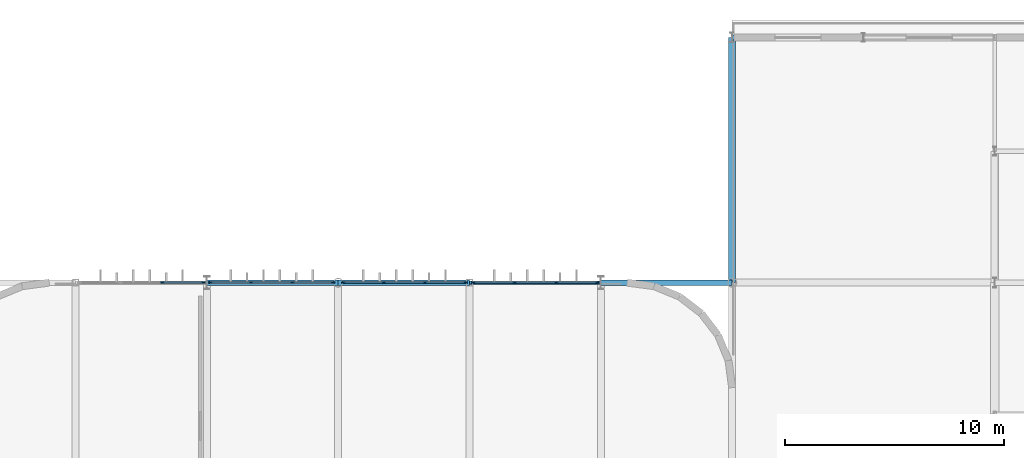
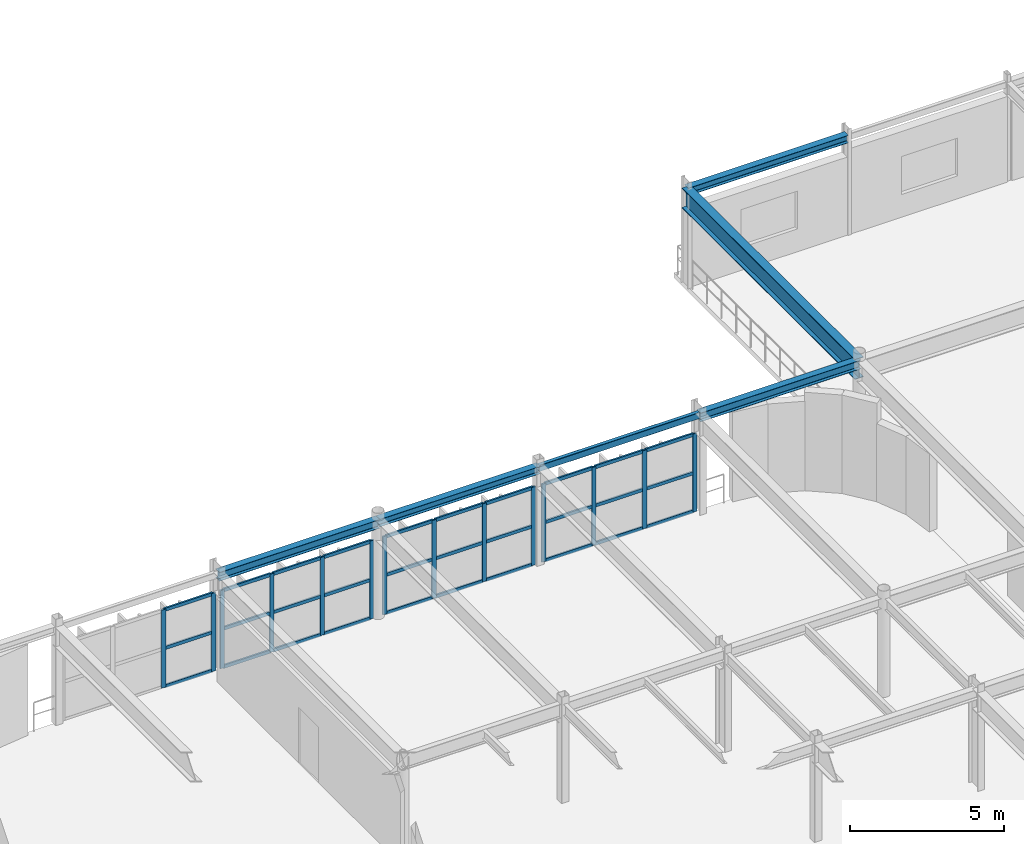
# One storey, part 70 of 116: 44 members, 6 beams, 4 elements without a shape of their own.
"""IFC4 building model written with IfcOpenShell, lengths in metres."""

from ifc_helpers import new_model, si_unit, direction, frame, origin, origin_2d, place, context, subcontext, project, spatial, rectangle, hollow_rectangle, i_section, extrude, material, material_profile, profile_set, type_object, element, aggregate, save


model = new_model("IFC4")

# Units and contexts
model_context = context("Model", 3, precision=1e-05, world=origin(), true_north=direction((0.0, 1.0)))
body_context = subcontext(model_context, "Body", "Model", "MODEL_VIEW")
ifc_project = project(units=[si_unit("LENGTHUNIT", "METRE"), si_unit("AREAUNIT", "SQUARE_METRE"), si_unit("VOLUMEUNIT", "CUBIC_METRE"), si_unit("PLANEANGLEUNIT", "RADIAN"), si_unit("MASSUNIT", "GRAM", prefix="KILO")], contexts=[model_context])

# Site, building, storey
site_placement = place(None, origin())
site = spatial("IfcSite", under=ifc_project, at=site_placement, CompositionType="ELEMENT")
building_placement = place(site_placement, origin())
building = spatial("IfcBuilding", under=site, at=building_placement, Name="Varnakota Square Police Headquarters", CompositionType="ELEMENT")
storey_placement = place(building_placement, frame((0.0, 0.0, 9.300048828125)))
storey = spatial("IfcBuildingStorey", under=building, at=storey_placement, Name="L02", CompositionType="ELEMENT", Elevation=9.300048828125)

# Beams
ifc_material_1 = material(Name="Steel IS 2062 Grade 350", Category="steel")
ifc_material_profile_1 = material_profile(ifc_material_1, i_section(OverallWidth=0.320068359375, OverallDepth=0.800048828125, WebThickness=0.01611328125, FlangeThickness=0.028076171875, at=origin_2d()), Name="BPG 800x320")
ifc_profile_set_1 = profile_set([ifc_material_profile_1], Name="Steel IS 2062 Grade 350")
beam_type_1 = type_object("IfcBeamType", Name="BM-BPG800", PredefinedType="BEAM", material=ifc_profile_set_1)
beam_1_placement = place(storey_placement, frame((96.0, 99.0, 3.5), z_axis=(0.0, 1.0, 0.0), x_axis=(-1.0, 0.0, 0.0)))
element("IfcBeam", 1, at=beam_1_placement, inside=storey, type_object=beam_type_1, Name="BMG-L02-2229", PredefinedType="BEAM", context=body_context, shape_type="SweptSolid", body=[
    extrude(i_section(OverallWidth=0.320068359375, OverallDepth=0.800048828125, WebThickness=0.01611328125, FlangeThickness=0.028076171875, at=origin_2d()), origin(), (0.0, 0.0, 1.0), 11.199951171875),
])
ifc_material_profile_2 = material_profile(ifc_material_1, hollow_rectangle(XDim=0.14990234375, YDim=0.25, WallThickness=0.010009765625, InnerFilletRadius=0.010009765625, OuterFilletRadius=0.02001953125, at=origin_2d()), Name="RHS 250x150x10")
ifc_profile_set_2 = profile_set([ifc_material_profile_2], Name="Steel IS 2062 Grade 350")
beam_type_2 = type_object("IfcBeamType", Name="BM-CBEAM-RHS250", PredefinedType="BEAM", material=ifc_profile_set_2)
beam_2_placement = place(storey_placement, frame((84.0, 99.0, 3.77490234375), z_axis=(1.0, 0.0, 0.0), x_axis=(0.0, 1.0, 0.0)))
element("IfcBeam", 2, at=beam_2_placement, inside=storey, type_object=beam_type_2, Name="BMG-L02-2072", PredefinedType="BEAM", context=body_context, shape_type="SweptSolid", body=[
    extrude(hollow_rectangle(XDim=0.14990234375, YDim=0.25, WallThickness=0.010009765625, InnerFilletRadius=0.010009765625, OuterFilletRadius=0.02001953125, at=origin_2d()), origin(), (0.0, 0.0, 1.0), 6.0),
])
ifc_material_profile_3 = material_profile(ifc_material_1, i_section(OverallWidth=0.25, OverallDepth=0.300048828125, WebThickness=0.009521484375, FlangeThickness=0.010498046875, FilletRadius=0.011962890625, at=origin_2d()), Name="ISHB 300")
ifc_profile_set_3 = profile_set([ifc_material_profile_3], Name="Steel IS 2062 Grade 350")
beam_type_3 = type_object("IfcBeamType", Name="BM-ISHB300", PredefinedType="BEAM", material=ifc_profile_set_3)
for number, where, z_axis, x_axis, name in (
    (3, (78.0, 99.0, 3.75), (1.0, 0.0, 0.0), (0.0, 1.0, 0.0), "BMG-L02-2071"),
    (4, (96.0, 110.199951171875, 3.75), (1.0, 0.0, 0.0), (0.0, 1.0, 0.0), "BMG-L02-2096"),
):
    element("IfcBeam", number, at=place(storey_placement, frame(where, z_axis=z_axis, x_axis=x_axis)), inside=storey, type_object=beam_type_3, Name=name, PredefinedType="BEAM", context=body_context, shape_type="SweptSolid", body=[
        extrude(i_section(OverallWidth=0.25, OverallDepth=0.300048828125, WebThickness=0.009521484375, FlangeThickness=0.010498046875, FilletRadius=0.011962890625, at=origin_2d()), origin(), (0.0, 0.0, 1.0), 6.0),
    ])
ifc_material_profile_4 = material_profile(ifc_material_1, i_section(OverallWidth=0.25, OverallDepth=0.35009765625, WebThickness=0.010009765625, FlangeThickness=0.01171875, FilletRadius=0.011962890625, at=origin_2d()), Name="ISHB 350")
ifc_profile_set_4 = profile_set([ifc_material_profile_4], Name="Steel IS 2062 Grade 350")
beam_type_4 = type_object("IfcBeamType", Name="BM-ISHB350", PredefinedType="BEAM", material=ifc_profile_set_4)
for number, where, z_axis, x_axis, name in (
    (5, (72.0, 99.0, 3.724853515625), (1.0, 0.0, 0.0), (0.0, 1.0, 0.0), "BMG-L02-2070"),
    (6, (90.0, 99.0, 3.724853515625), (1.0, 0.0, 0.0), (0.0, 1.0, 0.0), "BMG-L02-2073"),
):
    element("IfcBeam", number, at=place(storey_placement, frame(where, z_axis=z_axis, x_axis=x_axis)), inside=storey, type_object=beam_type_4, Name=name, PredefinedType="BEAM", context=body_context, shape_type="SweptSolid", body=[
        extrude(i_section(OverallWidth=0.25, OverallDepth=0.35009765625, WebThickness=0.010009765625, FlangeThickness=0.01171875, FilletRadius=0.011962890625, at=origin_2d()), origin(), (0.0, 0.0, 1.0), 6.0),
    ])

# Curtain wall, members
ifc_material_2 = material(Name="Anodised Aluminium Framing", Category="aluminium")
curtain_wall_type = type_object("IfcCurtainWallType", Name="CW-SYS-C", PredefinedType="NOTDEFINED", material=ifc_material_2)
curtain_wall_1_placement = place(storey_placement, origin())
curtain_wall_1 = element("IfcCurtainWall", 7, at=curtain_wall_1_placement, inside=storey, type_object=curtain_wall_type, Name="Unitised curtain wall CWG-L02-241", PredefinedType="NOTDEFINED")
ifc_material_3 = material(Name="Anodised Aluminium 6063-T6", Category="aluminium")
ifc_material_profile_5 = material_profile(ifc_material_3, rectangle(XDim=0.06494140625, YDim=0.159912109375, at=origin_2d()), Name="ALU MULLION 65x160")
ifc_profile_set_5 = profile_set([ifc_material_profile_5], Name="Anodised Aluminium 6063-T6")
member_type_1 = type_object("IfcMemberType", Name="CWM-150", PredefinedType="MULLION", material=ifc_profile_set_5)
member_1_placement = place(storey_placement, frame((69.965087890625, 99.0, 0.0), z_axis=(0.0, 0.0, 1.0), x_axis=(0.0, 1.0, 0.0)))
member_1 = element("IfcMember", 8, at=member_1_placement, type_object=member_type_1, Name="CWG-L02-241 mullion 3", PredefinedType="MULLION", context=body_context, shape_type="SweptSolid", body=[
    extrude(rectangle(XDim=0.06494140625, YDim=0.159912109375, at=origin_2d()), origin(), (0.0, 0.0, 1.0), 3.08984375),
])
member_2_placement = place(storey_placement, frame((71.83740234375, 99.0, 0.0), z_axis=(0.0, 0.0, 1.0), x_axis=(0.0, 1.0, 0.0)))
member_2 = element("IfcMember", 9, at=member_2_placement, type_object=member_type_1, Name="CWG-L02-241 mullion 4", PredefinedType="MULLION", context=body_context, shape_type="SweptSolid", body=[
    extrude(rectangle(XDim=0.06494140625, YDim=0.159912109375, at=origin_2d()), origin(), (0.0, 0.0, 1.0), 3.08984375),
])

curtain_wall_2_placement = place(storey_placement, origin())
curtain_wall_2 = element("IfcCurtainWall", 10, at=curtain_wall_2_placement, inside=storey, type_object=curtain_wall_type, Name="Unitised curtain wall CWG-L02-242", PredefinedType="NOTDEFINED")
member_3_placement = place(storey_placement, frame((72.16259765625, 99.0, 0.0), z_axis=(0.0, 0.0, 1.0), x_axis=(0.0, 1.0, 0.0)))
member_3 = element("IfcMember", 11, at=member_3_placement, type_object=member_type_1, Name="CWG-L02-242 mullion 1", PredefinedType="MULLION", context=body_context, shape_type="SweptSolid", body=[
    extrude(rectangle(XDim=0.06494140625, YDim=0.159912109375, at=origin_2d()), origin(), (0.0, 0.0, 1.0), 3.08984375),
])
member_4_placement = place(storey_placement, frame((74.017333984375, 99.0, 0.0), z_axis=(0.0, 0.0, 1.0), x_axis=(0.0, 1.0, 0.0)))
member_4 = element("IfcMember", 12, at=member_4_placement, type_object=member_type_1, Name="CWG-L02-242 mullion 2", PredefinedType="MULLION", context=body_context, shape_type="SweptSolid", body=[
    extrude(rectangle(XDim=0.06494140625, YDim=0.159912109375, at=origin_2d()), origin(), (0.0, 0.0, 1.0), 3.08984375),
])
member_5_placement = place(storey_placement, frame((75.904541015625, 99.0, 0.0), z_axis=(0.0, 0.0, 1.0), x_axis=(0.0, 1.0, 0.0)))
member_5 = element("IfcMember", 13, at=member_5_placement, type_object=member_type_1, Name="CWG-L02-242 mullion 3", PredefinedType="MULLION", context=body_context, shape_type="SweptSolid", body=[
    extrude(rectangle(XDim=0.06494140625, YDim=0.159912109375, at=origin_2d()), origin(), (0.0, 0.0, 1.0), 3.08984375),
])
member_6_placement = place(storey_placement, frame((77.75927734375, 99.0, 0.0), z_axis=(0.0, 0.0, 1.0), x_axis=(0.0, 1.0, 0.0)))
member_6 = element("IfcMember", 14, at=member_6_placement, type_object=member_type_1, Name="CWG-L02-242 mullion 4", PredefinedType="MULLION", context=body_context, shape_type="SweptSolid", body=[
    extrude(rectangle(XDim=0.06494140625, YDim=0.159912109375, at=origin_2d()), origin(), (0.0, 0.0, 1.0), 3.08984375),
])

curtain_wall_3_placement = place(storey_placement, origin())
curtain_wall_3 = element("IfcCurtainWall", 15, at=curtain_wall_3_placement, inside=storey, type_object=curtain_wall_type, Name="Unitised curtain wall CWG-L02-243", PredefinedType="NOTDEFINED")
member_7_placement = place(storey_placement, frame((78.24072265625, 99.0, 0.0), z_axis=(0.0, 0.0, 1.0), x_axis=(0.0, 1.0, 0.0)))
member_7 = element("IfcMember", 16, at=member_7_placement, type_object=member_type_1, Name="CWG-L02-243 mullion 1", PredefinedType="MULLION", context=body_context, shape_type="SweptSolid", body=[
    extrude(rectangle(XDim=0.06494140625, YDim=0.159912109375, at=origin_2d()), origin(), (0.0, 0.0, 1.0), 3.08984375),
])
member_8_placement = place(storey_placement, frame((80.087158203125, 99.0, 0.0), z_axis=(0.0, 0.0, 1.0), x_axis=(0.0, 1.0, 0.0)))
member_8 = element("IfcMember", 17, at=member_8_placement, type_object=member_type_1, Name="CWG-L02-243 mullion 2", PredefinedType="MULLION", context=body_context, shape_type="SweptSolid", body=[
    extrude(rectangle(XDim=0.06494140625, YDim=0.159912109375, at=origin_2d()), origin(), (0.0, 0.0, 1.0), 3.08984375),
])
member_9_placement = place(storey_placement, frame((81.966064453125, 99.0, 0.0), z_axis=(0.0, 0.0, 1.0), x_axis=(0.0, 1.0, 0.0)))
member_9 = element("IfcMember", 18, at=member_9_placement, type_object=member_type_1, Name="CWG-L02-243 mullion 3", PredefinedType="MULLION", context=body_context, shape_type="SweptSolid", body=[
    extrude(rectangle(XDim=0.06494140625, YDim=0.159912109375, at=origin_2d()), origin(), (0.0, 0.0, 1.0), 3.08984375),
])
member_10_placement = place(storey_placement, frame((83.8125, 99.0, 0.0), z_axis=(0.0, 0.0, 1.0), x_axis=(0.0, 1.0, 0.0)))
member_10 = element("IfcMember", 19, at=member_10_placement, type_object=member_type_1, Name="CWG-L02-243 mullion 4", PredefinedType="MULLION", context=body_context, shape_type="SweptSolid", body=[
    extrude(rectangle(XDim=0.06494140625, YDim=0.159912109375, at=origin_2d()), origin(), (0.0, 0.0, 1.0), 3.08984375),
])

curtain_wall_4_placement = place(storey_placement, origin())
curtain_wall_4 = element("IfcCurtainWall", 20, at=curtain_wall_4_placement, inside=storey, type_object=curtain_wall_type, Name="Unitised curtain wall CWG-L02-244", PredefinedType="NOTDEFINED")
member_11_placement = place(storey_placement, frame((84.1875, 99.0, 0.0), z_axis=(0.0, 0.0, 1.0), x_axis=(0.0, 1.0, 0.0)))
member_11 = element("IfcMember", 21, at=member_11_placement, type_object=member_type_1, Name="CWG-L02-244 mullion 1", PredefinedType="MULLION", context=body_context, shape_type="SweptSolid", body=[
    extrude(rectangle(XDim=0.06494140625, YDim=0.159912109375, at=origin_2d()), origin(), (0.0, 0.0, 1.0), 3.08984375),
])
member_12_placement = place(storey_placement, frame((86.06005859375, 99.0, 0.0), z_axis=(0.0, 0.0, 1.0), x_axis=(0.0, 1.0, 0.0)))
member_12 = element("IfcMember", 22, at=member_12_placement, type_object=member_type_1, Name="CWG-L02-244 mullion 2", PredefinedType="MULLION", context=body_context, shape_type="SweptSolid", body=[
    extrude(rectangle(XDim=0.06494140625, YDim=0.159912109375, at=origin_2d()), origin(), (0.0, 0.0, 1.0), 3.08984375),
])
member_13_placement = place(storey_placement, frame((87.965087890625, 99.0, 0.0), z_axis=(0.0, 0.0, 1.0), x_axis=(0.0, 1.0, 0.0)))
member_13 = element("IfcMember", 23, at=member_13_placement, type_object=member_type_1, Name="CWG-L02-244 mullion 3", PredefinedType="MULLION", context=body_context, shape_type="SweptSolid", body=[
    extrude(rectangle(XDim=0.06494140625, YDim=0.159912109375, at=origin_2d()), origin(), (0.0, 0.0, 1.0), 3.08984375),
])
member_14_placement = place(storey_placement, frame((89.83740234375, 99.0, 0.0), z_axis=(0.0, 0.0, 1.0), x_axis=(0.0, 1.0, 0.0)))
member_14 = element("IfcMember", 24, at=member_14_placement, type_object=member_type_1, Name="CWG-L02-244 mullion 4", PredefinedType="MULLION", context=body_context, shape_type="SweptSolid", body=[
    extrude(rectangle(XDim=0.06494140625, YDim=0.159912109375, at=origin_2d()), origin(), (0.0, 0.0, 1.0), 3.08984375),
])

# Member
ifc_material_profile_6 = material_profile(ifc_material_3, rectangle(XDim=0.06494140625, YDim=0.1298828125, at=origin_2d()), Name="ALU TRANSOM 65x130")
ifc_profile_set_6 = profile_set([ifc_material_profile_6], Name="Anodised Aluminium 6063-T6")
member_type_2 = type_object("IfcMemberType", Name="CWT-120", PredefinedType="USERDEFINED", material=ifc_profile_set_6)
member_15_placement = place(storey_placement, frame((69.99755859375, 99.0, 0.032470703125), z_axis=(1.0, 0.0, 0.0), x_axis=(0.0, 1.0, 0.0)))
member_15 = element("IfcMember", 25, at=member_15_placement, type_object=member_type_2, Name="CWG-L02-241 transom 3.1", ObjectType="TRANSOM", PredefinedType="USERDEFINED", context=body_context, shape_type="SweptSolid", body=[
    extrude(rectangle(XDim=0.06494140625, YDim=0.1298828125, at=origin_2d()), origin(), (0.0, 0.0, 1.0), 1.807373046875),
])

member_16_placement = place(storey_placement, frame((69.99755859375, 99.0, 1.544921875), z_axis=(1.0, 0.0, 0.0), x_axis=(0.0, 1.0, 0.0)))
member_16 = element("IfcMember", 26, at=member_16_placement, type_object=member_type_2, Name="CWG-L02-241 transom 3.2", ObjectType="TRANSOM", PredefinedType="USERDEFINED", context=body_context, shape_type="SweptSolid", body=[
    extrude(rectangle(XDim=0.06494140625, YDim=0.1298828125, at=origin_2d()), origin(), (0.0, 0.0, 1.0), 1.807373046875),
])

member_17_placement = place(storey_placement, frame((69.99755859375, 99.0, 3.057373046875), z_axis=(1.0, 0.0, 0.0), x_axis=(0.0, 1.0, 0.0)))
member_17 = element("IfcMember", 27, at=member_17_placement, type_object=member_type_2, Name="CWG-L02-241 transom 3.3", ObjectType="TRANSOM", PredefinedType="USERDEFINED", context=body_context, shape_type="SweptSolid", body=[
    extrude(rectangle(XDim=0.06494140625, YDim=0.1298828125, at=origin_2d()), origin(), (0.0, 0.0, 1.0), 1.807373046875),
])

aggregate(curtain_wall_1, [member_1, member_2, member_15, member_16, member_17])

member_18_placement = place(storey_placement, frame((72.195068359375, 99.0, 0.032470703125), z_axis=(1.0, 0.0, 0.0), x_axis=(0.0, 1.0, 0.0)))
member_18 = element("IfcMember", 28, at=member_18_placement, type_object=member_type_2, Name="CWG-L02-242 transom 1.1", ObjectType="TRANSOM", PredefinedType="USERDEFINED", context=body_context, shape_type="SweptSolid", body=[
    extrude(rectangle(XDim=0.06494140625, YDim=0.1298828125, at=origin_2d()), origin(), (0.0, 0.0, 1.0), 1.789794921875),
])

member_19_placement = place(storey_placement, frame((72.195068359375, 99.0, 1.544921875), z_axis=(1.0, 0.0, 0.0), x_axis=(0.0, 1.0, 0.0)))
member_19 = element("IfcMember", 29, at=member_19_placement, type_object=member_type_2, Name="CWG-L02-242 transom 1.2", ObjectType="TRANSOM", PredefinedType="USERDEFINED", context=body_context, shape_type="SweptSolid", body=[
    extrude(rectangle(XDim=0.06494140625, YDim=0.1298828125, at=origin_2d()), origin(), (0.0, 0.0, 1.0), 1.789794921875),
])

member_20_placement = place(storey_placement, frame((72.195068359375, 99.0, 3.057373046875), z_axis=(1.0, 0.0, 0.0), x_axis=(0.0, 1.0, 0.0)))
member_20 = element("IfcMember", 30, at=member_20_placement, type_object=member_type_2, Name="CWG-L02-242 transom 1.3", ObjectType="TRANSOM", PredefinedType="USERDEFINED", context=body_context, shape_type="SweptSolid", body=[
    extrude(rectangle(XDim=0.06494140625, YDim=0.1298828125, at=origin_2d()), origin(), (0.0, 0.0, 1.0), 1.789794921875),
])

member_21_placement = place(storey_placement, frame((74.0498046875, 99.0, 0.032470703125), z_axis=(1.0, 0.0, 0.0), x_axis=(0.0, 1.0, 0.0)))
member_21 = element("IfcMember", 31, at=member_21_placement, type_object=member_type_2, Name="CWG-L02-242 transom 2.1", ObjectType="TRANSOM", PredefinedType="USERDEFINED", context=body_context, shape_type="SweptSolid", body=[
    extrude(rectangle(XDim=0.06494140625, YDim=0.1298828125, at=origin_2d()), origin(), (0.0, 0.0, 1.0), 1.822265625),
])

member_22_placement = place(storey_placement, frame((74.0498046875, 99.0, 1.544921875), z_axis=(1.0, 0.0, 0.0), x_axis=(0.0, 1.0, 0.0)))
member_22 = element("IfcMember", 32, at=member_22_placement, type_object=member_type_2, Name="CWG-L02-242 transom 2.2", ObjectType="TRANSOM", PredefinedType="USERDEFINED", context=body_context, shape_type="SweptSolid", body=[
    extrude(rectangle(XDim=0.06494140625, YDim=0.1298828125, at=origin_2d()), origin(), (0.0, 0.0, 1.0), 1.822265625),
])

member_23_placement = place(storey_placement, frame((74.0498046875, 99.0, 3.057373046875), z_axis=(1.0, 0.0, 0.0), x_axis=(0.0, 1.0, 0.0)))
member_23 = element("IfcMember", 33, at=member_23_placement, type_object=member_type_2, Name="CWG-L02-242 transom 2.3", ObjectType="TRANSOM", PredefinedType="USERDEFINED", context=body_context, shape_type="SweptSolid", body=[
    extrude(rectangle(XDim=0.06494140625, YDim=0.1298828125, at=origin_2d()), origin(), (0.0, 0.0, 1.0), 1.822265625),
])

member_24_placement = place(storey_placement, frame((75.93701171875, 99.0, 0.032470703125), z_axis=(1.0, 0.0, 0.0), x_axis=(0.0, 1.0, 0.0)))
member_24 = element("IfcMember", 34, at=member_24_placement, type_object=member_type_2, Name="CWG-L02-242 transom 3.1", ObjectType="TRANSOM", PredefinedType="USERDEFINED", context=body_context, shape_type="SweptSolid", body=[
    extrude(rectangle(XDim=0.06494140625, YDim=0.1298828125, at=origin_2d()), origin(), (0.0, 0.0, 1.0), 1.789794921875),
])

member_25_placement = place(storey_placement, frame((75.93701171875, 99.0, 1.544921875), z_axis=(1.0, 0.0, 0.0), x_axis=(0.0, 1.0, 0.0)))
member_25 = element("IfcMember", 35, at=member_25_placement, type_object=member_type_2, Name="CWG-L02-242 transom 3.2", ObjectType="TRANSOM", PredefinedType="USERDEFINED", context=body_context, shape_type="SweptSolid", body=[
    extrude(rectangle(XDim=0.06494140625, YDim=0.1298828125, at=origin_2d()), origin(), (0.0, 0.0, 1.0), 1.789794921875),
])

member_26_placement = place(storey_placement, frame((75.93701171875, 99.0, 3.057373046875), z_axis=(1.0, 0.0, 0.0), x_axis=(0.0, 1.0, 0.0)))
member_26 = element("IfcMember", 36, at=member_26_placement, type_object=member_type_2, Name="CWG-L02-242 transom 3.3", ObjectType="TRANSOM", PredefinedType="USERDEFINED", context=body_context, shape_type="SweptSolid", body=[
    extrude(rectangle(XDim=0.06494140625, YDim=0.1298828125, at=origin_2d()), origin(), (0.0, 0.0, 1.0), 1.789794921875),
])

aggregate(curtain_wall_2, [member_3, member_4, member_5, member_6, member_18, member_19, member_20, member_21, member_22, member_23, member_24, member_25, member_26])

member_27_placement = place(storey_placement, frame((78.273193359375, 99.0, 0.032470703125), z_axis=(1.0, 0.0, 0.0), x_axis=(0.0, 1.0, 0.0)))
member_27 = element("IfcMember", 37, at=member_27_placement, type_object=member_type_2, Name="CWG-L02-243 transom 1.1", ObjectType="TRANSOM", PredefinedType="USERDEFINED", context=body_context, shape_type="SweptSolid", body=[
    extrude(rectangle(XDim=0.06494140625, YDim=0.1298828125, at=origin_2d()), origin(), (0.0, 0.0, 1.0), 1.781494140625),
])

member_28_placement = place(storey_placement, frame((78.273193359375, 99.0, 1.544921875), z_axis=(1.0, 0.0, 0.0), x_axis=(0.0, 1.0, 0.0)))
member_28 = element("IfcMember", 38, at=member_28_placement, type_object=member_type_2, Name="CWG-L02-243 transom 1.2", ObjectType="TRANSOM", PredefinedType="USERDEFINED", context=body_context, shape_type="SweptSolid", body=[
    extrude(rectangle(XDim=0.06494140625, YDim=0.1298828125, at=origin_2d()), origin(), (0.0, 0.0, 1.0), 1.781494140625),
])

member_29_placement = place(storey_placement, frame((78.273193359375, 99.0, 3.057373046875), z_axis=(1.0, 0.0, 0.0), x_axis=(0.0, 1.0, 0.0)))
member_29 = element("IfcMember", 39, at=member_29_placement, type_object=member_type_2, Name="CWG-L02-243 transom 1.3", ObjectType="TRANSOM", PredefinedType="USERDEFINED", context=body_context, shape_type="SweptSolid", body=[
    extrude(rectangle(XDim=0.06494140625, YDim=0.1298828125, at=origin_2d()), origin(), (0.0, 0.0, 1.0), 1.781494140625),
])

member_30_placement = place(storey_placement, frame((80.11962890625, 99.0, 0.032470703125), z_axis=(1.0, 0.0, 0.0), x_axis=(0.0, 1.0, 0.0)))
member_30 = element("IfcMember", 40, at=member_30_placement, type_object=member_type_2, Name="CWG-L02-243 transom 2.1", ObjectType="TRANSOM", PredefinedType="USERDEFINED", context=body_context, shape_type="SweptSolid", body=[
    extrude(rectangle(XDim=0.06494140625, YDim=0.1298828125, at=origin_2d()), origin(), (0.0, 0.0, 1.0), 1.81396484375),
])

member_31_placement = place(storey_placement, frame((80.11962890625, 99.0, 1.544921875), z_axis=(1.0, 0.0, 0.0), x_axis=(0.0, 1.0, 0.0)))
member_31 = element("IfcMember", 41, at=member_31_placement, type_object=member_type_2, Name="CWG-L02-243 transom 2.2", ObjectType="TRANSOM", PredefinedType="USERDEFINED", context=body_context, shape_type="SweptSolid", body=[
    extrude(rectangle(XDim=0.06494140625, YDim=0.1298828125, at=origin_2d()), origin(), (0.0, 0.0, 1.0), 1.81396484375),
])

member_32_placement = place(storey_placement, frame((80.11962890625, 99.0, 3.057373046875), z_axis=(1.0, 0.0, 0.0), x_axis=(0.0, 1.0, 0.0)))
member_32 = element("IfcMember", 42, at=member_32_placement, type_object=member_type_2, Name="CWG-L02-243 transom 2.3", ObjectType="TRANSOM", PredefinedType="USERDEFINED", context=body_context, shape_type="SweptSolid", body=[
    extrude(rectangle(XDim=0.06494140625, YDim=0.1298828125, at=origin_2d()), origin(), (0.0, 0.0, 1.0), 1.81396484375),
])

member_33_placement = place(storey_placement, frame((81.99853515625, 99.0, 0.032470703125), z_axis=(1.0, 0.0, 0.0), x_axis=(0.0, 1.0, 0.0)))
member_33 = element("IfcMember", 43, at=member_33_placement, type_object=member_type_2, Name="CWG-L02-243 transom 3.1", ObjectType="TRANSOM", PredefinedType="USERDEFINED", context=body_context, shape_type="SweptSolid", body=[
    extrude(rectangle(XDim=0.06494140625, YDim=0.1298828125, at=origin_2d()), origin(), (0.0, 0.0, 1.0), 1.781494140625),
])

member_34_placement = place(storey_placement, frame((81.99853515625, 99.0, 1.544921875), z_axis=(1.0, 0.0, 0.0), x_axis=(0.0, 1.0, 0.0)))
member_34 = element("IfcMember", 44, at=member_34_placement, type_object=member_type_2, Name="CWG-L02-243 transom 3.2", ObjectType="TRANSOM", PredefinedType="USERDEFINED", context=body_context, shape_type="SweptSolid", body=[
    extrude(rectangle(XDim=0.06494140625, YDim=0.1298828125, at=origin_2d()), origin(), (0.0, 0.0, 1.0), 1.781494140625),
])

member_35_placement = place(storey_placement, frame((81.99853515625, 99.0, 3.057373046875), z_axis=(1.0, 0.0, 0.0), x_axis=(0.0, 1.0, 0.0)))
member_35 = element("IfcMember", 45, at=member_35_placement, type_object=member_type_2, Name="CWG-L02-243 transom 3.3", ObjectType="TRANSOM", PredefinedType="USERDEFINED", context=body_context, shape_type="SweptSolid", body=[
    extrude(rectangle(XDim=0.06494140625, YDim=0.1298828125, at=origin_2d()), origin(), (0.0, 0.0, 1.0), 1.781494140625),
])

aggregate(curtain_wall_3, [member_7, member_8, member_9, member_10, member_27, member_28, member_29, member_30, member_31, member_32, member_33, member_34, member_35])

member_36_placement = place(storey_placement, frame((84.219970703125, 99.0, 0.032470703125), z_axis=(1.0, 0.0, 0.0), x_axis=(0.0, 1.0, 0.0)))
member_36 = element("IfcMember", 46, at=member_36_placement, type_object=member_type_2, Name="CWG-L02-244 transom 1.1", ObjectType="TRANSOM", PredefinedType="USERDEFINED", context=body_context, shape_type="SweptSolid", body=[
    extrude(rectangle(XDim=0.06494140625, YDim=0.1298828125, at=origin_2d()), origin(), (0.0, 0.0, 1.0), 1.8076171875),
])

member_37_placement = place(storey_placement, frame((84.219970703125, 99.0, 1.544921875), z_axis=(1.0, 0.0, 0.0), x_axis=(0.0, 1.0, 0.0)))
member_37 = element("IfcMember", 47, at=member_37_placement, type_object=member_type_2, Name="CWG-L02-244 transom 1.2", ObjectType="TRANSOM", PredefinedType="USERDEFINED", context=body_context, shape_type="SweptSolid", body=[
    extrude(rectangle(XDim=0.06494140625, YDim=0.1298828125, at=origin_2d()), origin(), (0.0, 0.0, 1.0), 1.8076171875),
])

member_38_placement = place(storey_placement, frame((84.219970703125, 99.0, 3.057373046875), z_axis=(1.0, 0.0, 0.0), x_axis=(0.0, 1.0, 0.0)))
member_38 = element("IfcMember", 48, at=member_38_placement, type_object=member_type_2, Name="CWG-L02-244 transom 1.3", ObjectType="TRANSOM", PredefinedType="USERDEFINED", context=body_context, shape_type="SweptSolid", body=[
    extrude(rectangle(XDim=0.06494140625, YDim=0.1298828125, at=origin_2d()), origin(), (0.0, 0.0, 1.0), 1.8076171875),
])

member_39_placement = place(storey_placement, frame((86.092529296875, 99.0, 0.032470703125), z_axis=(1.0, 0.0, 0.0), x_axis=(0.0, 1.0, 0.0)))
member_39 = element("IfcMember", 49, at=member_39_placement, type_object=member_type_2, Name="CWG-L02-244 transom 2.1", ObjectType="TRANSOM", PredefinedType="USERDEFINED", context=body_context, shape_type="SweptSolid", body=[
    extrude(rectangle(XDim=0.06494140625, YDim=0.1298828125, at=origin_2d()), origin(), (0.0, 0.0, 1.0), 1.840087890625),
])

member_40_placement = place(storey_placement, frame((86.092529296875, 99.0, 1.544921875), z_axis=(1.0, 0.0, 0.0), x_axis=(0.0, 1.0, 0.0)))
member_40 = element("IfcMember", 50, at=member_40_placement, type_object=member_type_2, Name="CWG-L02-244 transom 2.2", ObjectType="TRANSOM", PredefinedType="USERDEFINED", context=body_context, shape_type="SweptSolid", body=[
    extrude(rectangle(XDim=0.06494140625, YDim=0.1298828125, at=origin_2d()), origin(), (0.0, 0.0, 1.0), 1.840087890625),
])

member_41_placement = place(storey_placement, frame((86.092529296875, 99.0, 3.057373046875), z_axis=(1.0, 0.0, 0.0), x_axis=(0.0, 1.0, 0.0)))
member_41 = element("IfcMember", 51, at=member_41_placement, type_object=member_type_2, Name="CWG-L02-244 transom 2.3", ObjectType="TRANSOM", PredefinedType="USERDEFINED", context=body_context, shape_type="SweptSolid", body=[
    extrude(rectangle(XDim=0.06494140625, YDim=0.1298828125, at=origin_2d()), origin(), (0.0, 0.0, 1.0), 1.840087890625),
])

member_42_placement = place(storey_placement, frame((87.99755859375, 99.0, 0.032470703125), z_axis=(1.0, 0.0, 0.0), x_axis=(0.0, 1.0, 0.0)))
member_42 = element("IfcMember", 52, at=member_42_placement, type_object=member_type_2, Name="CWG-L02-244 transom 3.1", ObjectType="TRANSOM", PredefinedType="USERDEFINED", context=body_context, shape_type="SweptSolid", body=[
    extrude(rectangle(XDim=0.06494140625, YDim=0.1298828125, at=origin_2d()), origin(), (0.0, 0.0, 1.0), 1.807373046875),
])

member_43_placement = place(storey_placement, frame((87.99755859375, 99.0, 1.544921875), z_axis=(1.0, 0.0, 0.0), x_axis=(0.0, 1.0, 0.0)))
member_43 = element("IfcMember", 53, at=member_43_placement, type_object=member_type_2, Name="CWG-L02-244 transom 3.2", ObjectType="TRANSOM", PredefinedType="USERDEFINED", context=body_context, shape_type="SweptSolid", body=[
    extrude(rectangle(XDim=0.06494140625, YDim=0.1298828125, at=origin_2d()), origin(), (0.0, 0.0, 1.0), 1.807373046875),
])

member_44_placement = place(storey_placement, frame((87.99755859375, 99.0, 3.057373046875), z_axis=(1.0, 0.0, 0.0), x_axis=(0.0, 1.0, 0.0)))
member_44 = element("IfcMember", 54, at=member_44_placement, type_object=member_type_2, Name="CWG-L02-244 transom 3.3", ObjectType="TRANSOM", PredefinedType="USERDEFINED", context=body_context, shape_type="SweptSolid", body=[
    extrude(rectangle(XDim=0.06494140625, YDim=0.1298828125, at=origin_2d()), origin(), (0.0, 0.0, 1.0), 1.807373046875),
])

aggregate(curtain_wall_4, [member_11, member_12, member_13, member_14, member_36, member_37, member_38, member_39, member_40, member_41, member_42, member_43, member_44])

save(model, "model.ifc")
